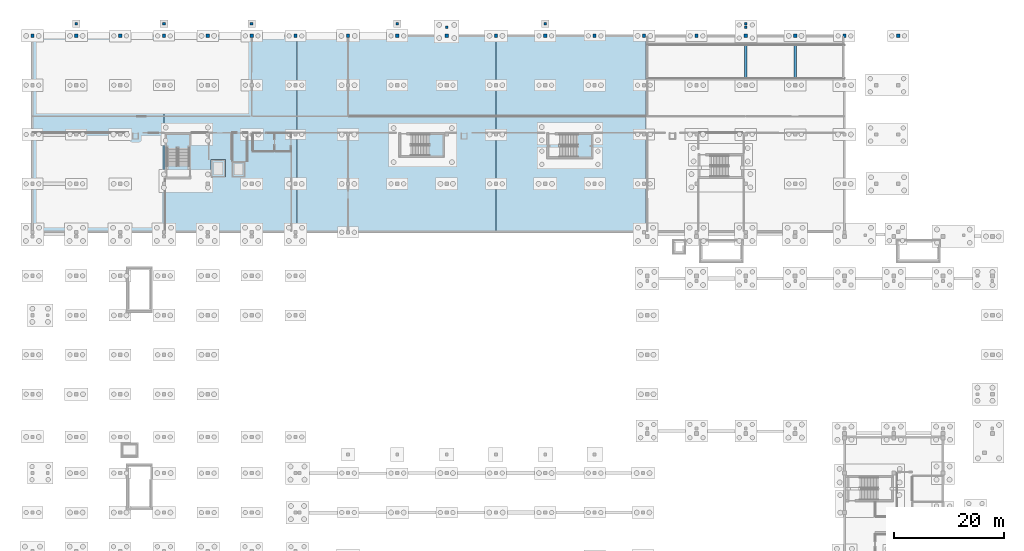
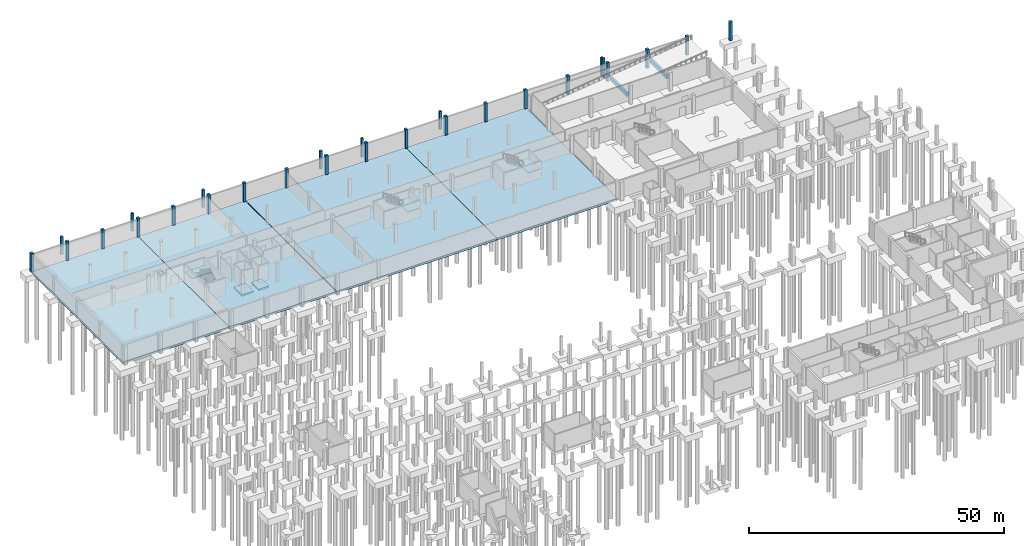
# One storey, part 16 of 36: 27 columns, 9 slabs, 2 beams, 3 elements without a shape of their own.
"""IFC4 building model written with IfcOpenShell, lengths in metres."""

from ifc_helpers import new_model, si_unit, direction, frame, origin, origin_2d, place, context, subcontext, project, spatial, polyline, rectangle, outline, extrude, material, layer, layer_set, material_profile, profile_set, type_object, element, aggregate, save


model = new_model("IFC4")

# Units and contexts
model_context = context("Model", 3, precision=1e-05, world=origin(), true_north=direction((0.0, 1.0)))
body_context = subcontext(model_context, "Body", "Model", "MODEL_VIEW")
ifc_project = project(units=[si_unit("LENGTHUNIT", "METRE"), si_unit("AREAUNIT", "SQUARE_METRE"), si_unit("VOLUMEUNIT", "CUBIC_METRE"), si_unit("PLANEANGLEUNIT", "RADIAN"), si_unit("MASSUNIT", "GRAM", prefix="KILO")], contexts=[model_context])

# Site, building, storey
site_placement = place(None, origin())
site = spatial("IfcSite", under=ifc_project, at=site_placement, CompositionType="ELEMENT")
building_placement = place(site_placement, origin())
building = spatial("IfcBuilding", under=site, at=building_placement, Name="Chiffa Square Polytechnic", CompositionType="ELEMENT")
storey_placement = place(building_placement, frame((0.0, 0.0, -4.5)))
storey = spatial("IfcBuildingStorey", under=building, at=storey_placement, Name="B1", CompositionType="ELEMENT", Elevation=-4.5)

# Columns
ifc_material_1 = material(Name="Concrete C35/45", Category="concrete")
ifc_material_profile_1 = material_profile(ifc_material_1, rectangle(XDim=0.5, YDim=0.5, at=origin_2d()), Name="RC 500x500")
ifc_profile_set_1 = profile_set([ifc_material_profile_1], Name="Concrete C35/45")
column_type_1 = type_object("IfcColumnType", Name="COL-PIER-500", PredefinedType="PILASTER", material=ifc_profile_set_1)
for number, where, z_axis, x_axis, name in (
    (1, (75.60009765625, 132.39990234375, 0.0), (0.0, 0.0, 1.0), (1.0, 0.0, 0.0), "Apron support pier CP-APR-B1-03"),
    (2, (130.199951171875, 132.39990234375, 0.0), (0.0, 0.0, 1.0), (1.0, 0.0, 0.0), "Apron support pier CP-APR-B1-04"),
):
    element("IfcColumn", number, at=place(storey_placement, frame(where, z_axis=z_axis, x_axis=x_axis)), inside=storey, type_object=column_type_1, Name=name, PredefinedType="PILASTER", context=body_context, shape_type="SweptSolid", body=[
        extrude(rectangle(XDim=0.5, YDim=0.5, at=origin_2d()), origin(), (0.0, 0.0, 1.0), 4.5),
    ])
for number, where, z_axis, x_axis, name in (
    (3, (8.0, 133.0, 0.0), (0.0, 0.0, 1.0), (1.0, 0.0, 0.0), "Apron slab support pier CP-APR-SUP-04"),
    (4, (24.0, 133.0, 0.0), (0.0, 0.0, 1.0), (1.0, 0.0, 0.0), "Apron slab support pier CP-APR-SUP-05"),
    (5, (40.0, 133.0, 0.0), (0.0, 0.0, 1.0), (1.0, 0.0, 0.0), "Apron slab support pier CP-APR-SUP-06"),
    (6, (66.60009765625, 133.0, 0.0), (0.0, 0.0, 1.0), (1.0, 0.0, 0.0), "Apron slab support pier CP-APR-SUP-07"),
    (7, (93.60009765625, 133.0, 0.0), (0.0, 0.0, 1.0), (1.0, 0.0, 0.0), "Apron slab support pier CP-APR-SUP-08"),
    (8, (130.199951171875, 133.0, 0.0), (0.0, 0.0, 1.0), (1.0, 0.0, 0.0), "Apron slab support pier CP-APR-SUP-09"),
):
    element("IfcColumn", number, at=place(storey_placement, frame(where, z_axis=z_axis, x_axis=x_axis)), inside=storey, type_object=column_type_1, Name=name, PredefinedType="PILASTER", context=body_context, shape_type="SweptSolid", body=[
        extrude(rectangle(XDim=0.5, YDim=0.5, at=origin_2d()), origin(), (0.0, 0.0, 1.0), 4.260009765625),
    ])
ifc_material_profile_2 = material_profile(ifc_material_1, rectangle(XDim=0.60009765625, YDim=0.60009765625, at=origin_2d()), Name="RC 600x600")
ifc_profile_set_2 = profile_set([ifc_material_profile_2], Name="Concrete C35/45")
column_type_2 = type_object("IfcColumnType", Name="COL-PIER-600", PredefinedType="PILASTER", material=ifc_profile_set_2)
column_placement = place(storey_placement, frame((158.0, 130.800048828125, 0.0), z_axis=(0.0, 0.0, 1.0), x_axis=(1.0, 0.0, 0.0)))
element("IfcColumn", 9, at=column_placement, inside=storey, type_object=column_type_2, Name="Ramp apron perimeter pier CP-RMPAPR-B1-05", PredefinedType="PILASTER", context=body_context, shape_type="SweptSolid", body=[
    extrude(rectangle(XDim=0.60009765625, YDim=0.60009765625, at=origin_2d()), origin(), (0.0, 0.0, 1.0), 4.5),
])
ifc_material_2 = material(Name="Concrete C40/50", Category="concrete")
ifc_material_profile_3 = material_profile(ifc_material_2, rectangle(XDim=0.60009765625, YDim=0.60009765625, at=origin_2d()), Name="RC 600x600")
ifc_profile_set_3 = profile_set([ifc_material_profile_3], Name="Concrete C40/50")
column_type_3 = type_object("IfcColumnType", Name="COL-RC-600", PredefinedType="COLUMN", material=ifc_profile_set_3)
for number, where, z_axis, x_axis, name in (
    (10, (0.0, 130.800048828125, 0.0), (0.0, 0.0, 1.0), (1.0, 0.0, 0.0), "Substructure column C-V5-B1-0000-1308"),
    (11, (8.0, 130.800048828125, 0.0), (0.0, 0.0, 1.0), (1.0, 0.0, 0.0), "Substructure column C-V5-B1-0080-1308"),
    (12, (16.0, 130.800048828125, 0.0), (0.0, 0.0, 1.0), (1.0, 0.0, 0.0), "Substructure column C-V5-B1-0160-1308"),
    (13, (24.0, 130.800048828125, 0.0), (0.0, 0.0, 1.0), (1.0, 0.0, 0.0), "Substructure column C-V5-B1-0240-1308"),
    (14, (32.0, 130.800048828125, 0.0), (0.0, 0.0, 1.0), (1.0, 0.0, 0.0), "Substructure column C-V5-B1-0320-1308"),
    (15, (40.0, 130.800048828125, 0.0), (0.0, 0.0, 1.0), (1.0, 0.0, 0.0), "Substructure column C-V5-B1-0400-1308"),
    (16, (48.0, 130.800048828125, 0.0), (0.0, 0.0, 1.0), (1.0, 0.0, 0.0), "Substructure column C-V5-B1-0480-1308"),
    (17, (57.60009765625, 130.800048828125, 0.0), (0.0, 0.0, 1.0), (1.0, 0.0, 0.0), "Substructure column C-V5-B1-0576-1308"),
    (18, (66.60009765625, 130.800048828125, 0.0), (0.0, 0.0, 1.0), (1.0, 0.0, 0.0), "Substructure column C-V5-B1-0666-1308"),
    (19, (75.60009765625, 130.800048828125, 0.0), (0.0, 0.0, 1.0), (1.0, 0.0, 0.0), "Substructure column C-V5-B1-0756-1308"),
    (20, (84.60009765625, 130.800048828125, 0.0), (0.0, 0.0, 1.0), (1.0, 0.0, 0.0), "Substructure column C-V5-B1-0846-1308"),
    (21, (93.60009765625, 130.800048828125, 0.0), (0.0, 0.0, 1.0), (1.0, 0.0, 0.0), "Substructure column C-V5-B1-0936-1308"),
    (22, (102.60009765625, 130.800048828125, 0.0), (0.0, 0.0, 1.0), (1.0, 0.0, 0.0), "Substructure column C-V5-B1-1026-1308"),
    (23, (111.60009765625, 130.800048828125, 0.0), (0.0, 0.0, 1.0), (1.0, 0.0, 0.0), "Substructure column C-V5-B1-1116-1308"),
    (24, (121.199951171875, 130.800048828125, 0.0), (0.0, 0.0, 1.0), (1.0, 0.0, 0.0), "Substructure column C-V5-B1-1212-1308"),
    (25, (130.199951171875, 130.800048828125, 0.0), (0.0, 0.0, 1.0), (1.0, 0.0, 0.0), "Substructure column C-V5-B1-1302-1308"),
    (26, (139.199951171875, 130.800048828125, 0.0), (0.0, 0.0, 1.0), (1.0, 0.0, 0.0), "Substructure column C-V5-B1-1392-1308"),
    (27, (148.199951171875, 130.800048828125, 0.0), (0.0, 0.0, 1.0), (1.0, 0.0, 0.0), "Substructure column C-V5-B1-1482-1308"),
):
    element("IfcColumn", number, at=place(storey_placement, frame(where, z_axis=z_axis, x_axis=x_axis)), inside=storey, type_object=column_type_3, Name=name, PredefinedType="COLUMN", context=body_context, shape_type="SweptSolid", body=[
        extrude(rectangle(XDim=0.60009765625, YDim=0.60009765625, at=origin_2d()), origin(), (0.0, 0.0, 1.0), 4.5),
    ])

# Beams
ifc_material_profile_4 = material_profile(ifc_material_1, rectangle(XDim=0.5, YDim=0.89990234375, at=origin_2d()), Name="RC 500x900")
ifc_profile_set_4 = profile_set([ifc_material_profile_4], Name="Concrete C35/45")
beam_type = type_object("IfcBeamType", Name="GB-RC-500X900", PredefinedType="BEAM", material=ifc_profile_set_4)
for number, where, z_axis, x_axis, name in (
    (28, (130.199951171875, 122.889892578125, 1.489990234375), (0.0, 1.0, 0.0), (-1.0, 0.0, 0.0), "Vehicle ramp intermediate transverse support beam GB-RAMP-SUP-1"),
    (29, (139.199951171875, 122.889892578125, 2.614990234375), (0.0, 1.0, 0.0), (-1.0, 0.0, 0.0), "Vehicle ramp intermediate transverse support beam GB-RAMP-SUP-2"),
):
    element("IfcBeam", number, at=place(storey_placement, frame(where, z_axis=z_axis, x_axis=x_axis)), inside=storey, type_object=beam_type, Name=name, PredefinedType="BEAM", context=body_context, shape_type="SweptSolid", body=[
        extrude(rectangle(XDim=0.5, YDim=0.89990234375, at=origin_2d()), origin(), (0.0, 0.0, 1.0), 6.420166015625),
    ])

# Slabs
ifc_layer_1 = layer(ifc_material_1, 0.39990234375, Name="Concrete C35/45")
ifc_layer_set_1 = layer_set([ifc_layer_1], Name="Concrete C35/45")
slab_type_1 = type_object("IfcSlabType", Name="SLB-BASE-400", PredefinedType="BASESLAB", material=ifc_layer_set_1)
slab_1_placement = place(storey_placement, frame((0.0, 0.0, -1.800048828125)))
element("IfcSlab", 30, at=slab_1_placement, inside=storey, type_object=slab_type_1, Name="Lift pit base slab LF-V5", PredefinedType="BASESLAB", context=body_context, shape_type="SweptSolid", body=[
    extrude(outline(polyline([(32.60009765625, 105.0), (35.199951171875, 105.0), (35.199951171875, 108.199951171875), (32.60009765625, 108.199951171875), (32.60009765625, 105.0)])), origin(), (0.0, 0.0, 1.0), 0.400146484375),
])
slab_2_placement = place(storey_placement, frame((0.0, 0.0, -1.800048828125)))
element("IfcSlab", 31, at=slab_2_placement, inside=storey, type_object=slab_type_1, Name="Lift pit base slab LP-V5A", PredefinedType="BASESLAB", context=body_context, shape_type="SweptSolid", body=[
    extrude(outline(polyline([(36.39990234375, 105.0), (38.800048828125, 105.0), (38.800048828125, 107.89990234375), (36.39990234375, 107.89990234375), (36.39990234375, 105.0)])), origin(), (0.0, 0.0, 1.0), 0.400146484375),
])
ifc_layer_2 = layer(ifc_material_1, 0.5, Name="Concrete C35/45")
ifc_layer_set_2 = layer_set([ifc_layer_2], Name="Concrete C35/45")
slab_type_2 = type_object("IfcSlabType", Name="SLB-BASE-500", PredefinedType="BASESLAB", material=ifc_layer_set_2)
slab_3_placement = place(storey_placement, frame((0.0, 0.0, -0.5)))
element("IfcSlab", 32, at=slab_3_placement, inside=storey, type_object=slab_type_2, Name="V5 B1 structural slab SLB-V5-B1-018", PredefinedType="BASESLAB", context=body_context, shape_type="SweptSolid", body=[
    extrude(outline(polyline([(0.0, 95.050048828125), (0.0, 130.800048828125), (24.0, 130.800048828125), (24.0, 95.050048828125), (0.0, 95.050048828125)])), origin(), (0.0, 0.0, 1.0), 0.5),
])
slab_4_placement = place(storey_placement, frame((0.0, 0.0, -0.5)))
element("IfcSlab", 33, at=slab_4_placement, inside=storey, type_object=slab_type_2, Name="V5 B1 structural slab SLB-V5-B1-019", PredefinedType="BASESLAB", context=body_context, shape_type="SweptSolid", body=[
    extrude(outline(polyline([(24.0, 95.050048828125), (24.0, 130.800048828125), (48.25, 130.800048828125), (48.25, 95.050048828125), (24.0, 95.050048828125)])), origin(), (0.0, 0.0, 1.0), 0.5),
])
slab_5_placement = place(storey_placement, frame((0.0, 0.0, -0.5)))
element("IfcSlab", 34, at=slab_5_placement, inside=storey, type_object=slab_type_2, Name="V5 B1 structural slab SLB-V5-B1-020", PredefinedType="BASESLAB", context=body_context, shape_type="SweptSolid", body=[
    extrude(outline(polyline([(48.35009765625, 95.050048828125), (48.35009765625, 130.800048828125), (84.60009765625, 130.800048828125), (84.60009765625, 95.050048828125), (48.35009765625, 95.050048828125)])), origin(), (0.0, 0.0, 1.0), 0.5),
])
slab_6_placement = place(storey_placement, frame((0.0, 0.0, -0.5)))
element("IfcSlab", 35, at=slab_6_placement, inside=storey, type_object=slab_type_2, Name="V5 B1 structural slab SLB-V5-B1-021", PredefinedType="BASESLAB", context=body_context, shape_type="SweptSolid", body=[
    extrude(outline(polyline([(84.60009765625, 95.050048828125), (84.60009765625, 130.800048828125), (111.85009765625, 130.800048828125), (111.85009765625, 95.050048828125), (84.60009765625, 95.050048828125)])), origin(), (0.0, 0.0, 1.0), 0.5),
])

# Stair, slab
stair_type_1 = type_object("IfcStairType", Name="STAIR-STR-1850", PredefinedType="HALF_TURN_STAIR", material=ifc_material_1)
stair_1_placement = place(storey_placement, origin())
stair_1 = element("IfcStair", 36, at=stair_1_placement, inside=storey, type_object=stair_type_1, Name="B1 Enclosed exit stair ST-B1W", PredefinedType="HALF_TURN_STAIR")
ifc_layer_3 = layer(ifc_material_1, 0.199951171875, Name="Concrete C35/45")
ifc_layer_set_3 = layer_set([ifc_layer_3], Name="Concrete C35/45")
slab_type_3 = type_object("IfcSlabType", Name="SLB-LND-190", PredefinedType="LANDING", material=ifc_layer_set_3)
slab_7_placement = place(storey_placement, frame((0.0, 0.0, 2.050048828125)))
slab_7 = element("IfcSlab", 37, at=slab_7_placement, type_object=slab_type_3, Name="ST-B1W landing 1", PredefinedType="LANDING", context=body_context, shape_type="SweptSolid", body=[
    extrude(outline(polyline([(72.340087890625, 108.830078125), (72.340087890625, 112.919921875), (75.02001953125, 112.919921875), (75.02001953125, 108.830078125), (72.340087890625, 108.830078125)])), origin(), (0.0, 0.0, 1.0), 0.199951171875),
])
aggregate(stair_1, [slab_7])

stair_type_2 = type_object("IfcStairType", Name="STAIR-DOG-1950", PredefinedType="HALF_TURN_STAIR", material=ifc_material_1)
stair_2_placement = place(storey_placement, origin())
stair_2 = element("IfcStair", 38, at=stair_2_placement, inside=storey, type_object=stair_type_2, Name="B1 Enclosed exit stair ST-V5A", PredefinedType="HALF_TURN_STAIR")
ifc_layer_4 = layer(ifc_material_1, 0.199951171875, Name="Concrete C35/45")
ifc_layer_set_4 = layer_set([ifc_layer_4], Name="Concrete C35/45")
slab_type_4 = type_object("IfcSlabType", Name="SLB-LND-200", PredefinedType="LANDING", material=ifc_layer_set_4)
slab_8_placement = place(storey_placement, frame((0.0, 0.0, 2.050048828125)))
slab_8 = element("IfcSlab", 39, at=slab_8_placement, type_object=slab_type_4, Name="ST-V5A landing 1", PredefinedType="LANDING", context=body_context, shape_type="SweptSolid", body=[
    extrude(outline(polyline([(28.719970703125, 110.239990234375), (24.3798828125, 110.239990234375), (24.3798828125, 112.919921875), (28.719970703125, 112.919921875), (28.719970703125, 110.239990234375)])), origin(), (0.0, 0.0, 1.0), 0.199951171875),
])
aggregate(stair_2, [slab_8])

stair_3_placement = place(storey_placement, origin())
stair_3 = element("IfcStair", 40, at=stair_3_placement, inside=storey, type_object=stair_type_2, Name="B1 Enclosed exit stair ST-V5B", PredefinedType="HALF_TURN_STAIR")
slab_9_placement = place(storey_placement, frame((0.0, 0.0, 2.050048828125)))
slab_9 = element("IfcSlab", 41, at=slab_9_placement, type_object=slab_type_4, Name="ST-V5B landing 1", PredefinedType="LANDING", context=body_context, shape_type="SweptSolid", body=[
    extrude(outline(polyline([(99.43994140625, 108.580078125), (99.43994140625, 112.919921875), (102.1201171875, 112.919921875), (102.1201171875, 108.580078125), (99.43994140625, 108.580078125)])), origin(), (0.0, 0.0, 1.0), 0.199951171875),
])
aggregate(stair_3, [slab_9])

save(model, "model.ifc")
